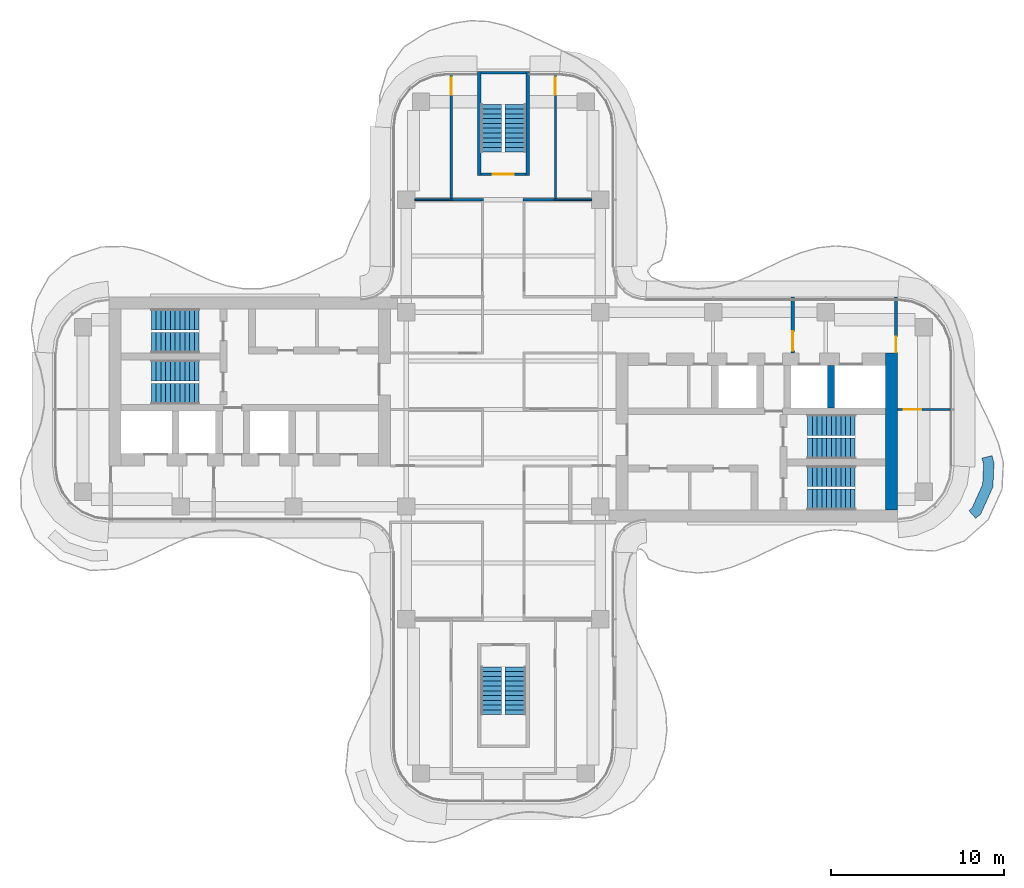
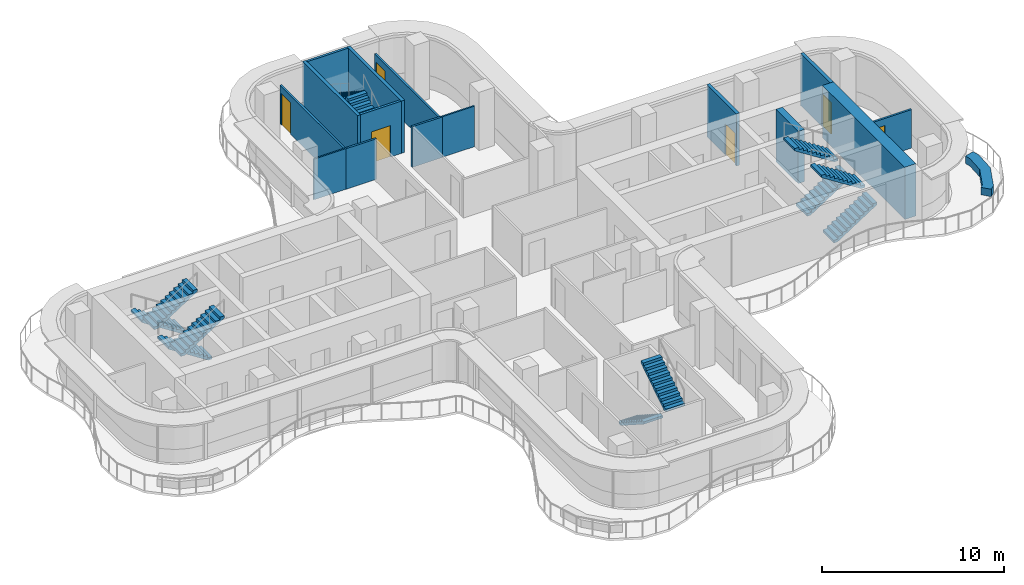
# One storey, part 13 of 15: 16 walls, 12 stair flights, 6 doors, 6 openings, 6 elements without a shape of their own.
"""IFC4 building model written with IfcOpenShell, lengths in metres."""

from ifc_helpers import new_model, si_unit, direction, frame, frame_2d, origin, place, context, subcontext, project, spatial, polyline, rectangle, outline, extrude, source, transform, mapped, material, layer, layer_set, type_object, element, fill, aggregate, save


model = new_model("IFC4")

# Units and contexts
model_context = context("Model", 3, precision=1e-05, world=origin(), true_north=direction((0.0, 1.0)))
body_context = subcontext(model_context, "Body", "Model", "MODEL_VIEW")
ifc_project = project(units=[si_unit("LENGTHUNIT", "METRE"), si_unit("AREAUNIT", "SQUARE_METRE"), si_unit("VOLUMEUNIT", "CUBIC_METRE"), si_unit("PLANEANGLEUNIT", "RADIAN"), si_unit("MASSUNIT", "GRAM", prefix="KILO")], contexts=[model_context])

# Site, building, storey
site_placement = place(None, origin())
site = spatial("IfcSite", under=ifc_project, at=site_placement, CompositionType="ELEMENT")
building_placement = place(site_placement, origin())
building = spatial("IfcBuilding", under=site, at=building_placement, Name="Trellis Farm Tower", CompositionType="ELEMENT")
storey_placement = place(building_placement, frame((0.0, 0.0, 326.199951171875)))
storey = spatial("IfcBuildingStorey", under=building, at=storey_placement, Name="L74", CompositionType="ELEMENT", Elevation=326.199951171875)

# Walls
ifc_material_1 = material(Name="Sandstone faced masonry planter", Category="masonry")
ifc_layer_1 = layer(ifc_material_1, 0.60009765625)
ifc_layer_set_1 = layer_set([ifc_layer_1], Name="PLANTER BED 600")
wall_type_1 = type_object("IfcWallType", Name="PLANTER BED 600", PredefinedType="USERDEFINED", material=ifc_layer_set_1)
placement = place(storey_placement, origin())
element("IfcWall", 1, at=placement, inside=storey, type_object=wall_type_1, Name="PLANTER bed", ObjectType="PLANTER", PredefinedType="USERDEFINED", context=body_context, shape_type="SweptSolid", body=[
    extrude(outline(polyline([(28.243408203125, -4.46875), (27.53759765625, -6.029296875), (27.25, -6.283203125), (26.852783203125, -5.83349609375), (27.043701171875, -5.664794921875), (27.64892578125, -4.326904296875), (27.7001953125, -3.16015625), (27.609619140625, -2.80908203125), (28.1904296875, -2.65869140625), (28.3037109375, -3.096923828125), (28.243408203125, -4.46875)])), origin(), (0.0, 0.0, 1.0), 0.5),
])
ifc_material_2 = material(Name="Concrete C50/60", Category="concrete")
ifc_layer_2 = layer(ifc_material_2, 0.699951171875)
ifc_layer_set_2 = layer_set([ifc_layer_2], Name="CORE OUTER WALL 700 CONCRETE C50/60")
wall_type_2 = type_object("IfcWallType", Name="CORE OUTER WALL 700 CONCRETE C50/60", PredefinedType="SHEAR", material=ifc_layer_set_2)
shared_shape_1 = source(origin(), body_context, "Body", "SweptSolid", [
    extrude(rectangle(XDim=9.050048828125, YDim=0.699951171875, at=frame_2d((4.52490234375, 0.0))), origin(), (0.0, 0.0, 1.0), 3.5),
])
wall_2_placement = place(storey_placement, frame((22.39990234375, -5.800048828125, 0.0), z_axis=(0.0, 0.0, 1.0), x_axis=(0.0, 1.0, 0.0)))
element("IfcWall", 2, at=wall_2_placement, inside=storey, type_object=wall_type_2, Name="Core wall", PredefinedType="SHEAR", context=body_context, shape_type="MappedRepresentation", body=[
    mapped(shared_shape_1, transform((0.0, 0.0, 0.0))),
])
ifc_layer_3 = layer(ifc_material_2, 0.39990234375)
ifc_layer_set_3 = layer_set([ifc_layer_3], Name="CORE INNER WALL 400 CONCRETE C50/60")
wall_type_3 = type_object("IfcWallType", Name="CORE INNER WALL 400 CONCRETE C50/60", PredefinedType="SHEAR", material=ifc_layer_set_3)
shared_shape_2 = source(origin(), body_context, "Body", "SweptSolid", [
    extrude(rectangle(XDim=2.449951171875, YDim=0.39990234375, at=frame_2d((1.22509765625, 0.0))), origin(), (0.0, 0.0, 1.0), 3.5),
])
wall_3_placement = place(storey_placement, frame((18.89990234375, 0.10009765625, 0.0), z_axis=(0.0, 0.0, 1.0), x_axis=(0.0, 1.0, 0.0)))
element("IfcWall", 3, at=wall_3_placement, inside=storey, type_object=wall_type_3, Name="Core wall", PredefinedType="SHEAR", context=body_context, shape_type="MappedRepresentation", body=[
    mapped(shared_shape_2, transform((0.0, 0.0, 0.0))),
])

# Wall, opening, door
ifc_material_3 = material(Name="Masonry blockwork", Category="masonry")
ifc_layer_4 = layer(ifc_material_3, 0.199951171875)
ifc_layer_set_4 = layer_set([ifc_layer_4], Name="FIRE LOBBY PARTITION 200 BLOCKWORK")
wall_type_4 = type_object("IfcWallType", Name="FIRE LOBBY PARTITION 200 BLOCKWORK", PredefinedType="PARTITIONING", material=ifc_layer_set_4)
shared_shape_3 = source(origin(), body_context, "Body", "SweptSolid", [
    extrude(rectangle(XDim=3.25, YDim=0.199951171875, at=frame_2d((1.625, 0.0))), origin(), (0.0, 0.0, 1.0), 3.5),
])
wall_4_placement = place(storey_placement, frame((16.699951171875, 3.25, 0.0), z_axis=(0.0, 0.0, 1.0), x_axis=(0.0, 1.0, 0.0)))
wall_4 = element("IfcWall", 4, at=wall_4_placement, inside=storey, type_object=wall_type_4, Name="Fire-fighting lobby partition", PredefinedType="PARTITIONING", context=body_context, shape_type="MappedRepresentation", body=[
    mapped(shared_shape_3, transform((0.0, 0.0, 0.0))),
])
shared_shape_4 = source(origin(), body_context, "Body", "SweptSolid", [
    extrude(rectangle(XDim=1.10009765625, YDim=2.10009765625, at=frame_2d((0.550048828125, 1.050048828125))), frame((0.0, 0.110107421875, 0.0), z_axis=(0.0, -1.0, 0.0), x_axis=(1.0, 0.0, 0.0)), (0.0, 0.0, 1.0), 0.22021484375),
])
opening_1_placement = place(wall_4_placement, frame((0.14990234375, 0.0, 0.0)))
opening_1 = element("IfcOpeningElement", 5, at=opening_1_placement, cuts=wall_4, Name="Opening DC7", PredefinedType="OPENING", context=body_context, shape_type="MappedRepresentation", body=[
    mapped(shared_shape_4, transform((0.0, 0.0, 0.0))),
])
ifc_material_4 = material(Name="Steel", Category="steel")
door_type_1 = type_object("IfcDoorType", Name="CORE FIRE DOOR 1100 X 2100", OperationType="NOTDEFINED", PredefinedType="DOOR", material=ifc_material_4)
shared_shape_5 = source(origin(), body_context, "Body", "SweptSolid", [
    extrude(rectangle(XDim=1.10009765625, YDim=2.10009765625, at=frame_2d((0.550048828125, 1.050048828125))), frame((0.0, 0.02490234375, 0.0), z_axis=(0.0, -1.0, 0.0), x_axis=(1.0, 0.0, 0.0)), (0.0, 0.0, 1.0), 0.050048828125),
])
door_1_placement = place(opening_1_placement, origin())
door_1 = element("IfcDoor", 6, at=door_1_placement, inside=storey, type_object=door_type_1, Name="Core door", OperationType="SINGLE_SWING_RIGHT", OverallHeight=2.10009765625, OverallWidth=1.10009765625, PredefinedType="DOOR", context=body_context, shape_type="MappedRepresentation", body=[
    mapped(shared_shape_5, transform((0.0, 0.0, 0.0))),
])
fill(opening_1, door_1)

wall_5_placement = place(storey_placement, frame((22.64990234375, 3.25, 0.0), z_axis=(0.0, 0.0, 1.0), x_axis=(0.0, 1.0, 0.0)))
wall_5 = element("IfcWall", 7, at=wall_5_placement, inside=storey, type_object=wall_type_4, Name="Fire-fighting lobby partition", PredefinedType="PARTITIONING", context=body_context, shape_type="MappedRepresentation", body=[
    mapped(shared_shape_3, transform((0.0, 0.0, 0.0))),
])
shared_shape_6 = source(origin(), body_context, "Body", "SweptSolid", [
    extrude(rectangle(XDim=0.89990234375, YDim=2.10009765625, at=frame_2d((0.449951171875, 1.050048828125))), frame((0.0, 0.110107421875, 0.0), z_axis=(0.0, -1.0, 0.0), x_axis=(1.0, 0.0, 0.0)), (0.0, 0.0, 1.0), 0.22021484375),
])
opening_2_placement = place(wall_5_placement, frame((0.050048828125, 0.0, 0.0)))
opening_2 = element("IfcOpeningElement", 8, at=opening_2_placement, cuts=wall_5, Name="Opening DC8", PredefinedType="OPENING", context=body_context, shape_type="MappedRepresentation", body=[
    mapped(shared_shape_6, transform((0.0, 0.0, 0.0))),
])
door_type_2 = type_object("IfcDoorType", Name="CORE FIRE DOOR 900 X 2100", OperationType="NOTDEFINED", PredefinedType="DOOR", material=ifc_material_4)
shared_shape_7 = source(origin(), body_context, "Body", "SweptSolid", [
    extrude(rectangle(XDim=0.89990234375, YDim=2.10009765625, at=frame_2d((0.449951171875, 1.050048828125))), frame((0.0, 0.02490234375, 0.0), z_axis=(0.0, -1.0, 0.0), x_axis=(1.0, 0.0, 0.0)), (0.0, 0.0, 1.0), 0.050048828125),
])
door_2_placement = place(opening_2_placement, origin())
door_2 = element("IfcDoor", 9, at=door_2_placement, inside=storey, type_object=door_type_2, Name="Core door", OperationType="SINGLE_SWING_RIGHT", OverallHeight=2.10009765625, OverallWidth=0.89990234375, PredefinedType="DOOR", context=body_context, shape_type="MappedRepresentation", body=[
    mapped(shared_shape_7, transform((0.0, 0.0, 0.0))),
])
fill(opening_2, door_2)

# Walls
ifc_layer_5 = layer(ifc_material_2, 0.199951171875)
ifc_layer_set_5 = layer_set([ifc_layer_5], Name="CORE STAIR ENCLOSURE WALL 200 CONCRETE C50/60")
wall_type_5 = type_object("IfcWallType", Name="CORE STAIR ENCLOSURE WALL 200 CONCRETE C50/60", PredefinedType="SHEAR", material=ifc_layer_set_5)
shared_shape_8 = source(origin(), body_context, "Body", "SweptSolid", [
    extrude(rectangle(XDim=6.0, YDim=0.199951171875, at=frame_2d((3.0, 0.0))), origin(), (0.0, 0.0, 1.0), 3.5),
])
for number, where, z_axis, x_axis, name in (
    (10, (-1.39990234375, 13.5, 0.0), (0.0, 0.0, 1.0), (0.0, 1.0, 0.0), "Stair enclosure wall"),
    (11, (1.39990234375, 13.5, 0.0), (0.0, 0.0, 1.0), (0.0, 1.0, 0.0), "Stair enclosure wall"),
):
    element("IfcWall", number, at=place(storey_placement, frame(where, z_axis=z_axis, x_axis=x_axis)), inside=storey, type_object=wall_type_5, Name=name, PredefinedType="SHEAR", context=body_context, shape_type="MappedRepresentation", body=[
        mapped(shared_shape_8, transform((0.0, 0.0, 0.0))),
    ])

# Wall, opening, door
ifc_layer_6 = layer(ifc_material_2, 0.14990234375)
ifc_layer_set_6 = layer_set([ifc_layer_6], Name="CORE STAIR ENCLOSURE WALL 150 CONCRETE C50/60")
wall_type_6 = type_object("IfcWallType", Name="CORE STAIR ENCLOSURE WALL 150 CONCRETE C50/60", PredefinedType="SHEAR", material=ifc_layer_set_6)
shared_shape_9 = source(origin(), body_context, "Body", "SweptSolid", [
    extrude(rectangle(XDim=2.60009765625, YDim=0.14990234375, at=frame_2d((1.300048828125, 0.0))), origin(), (0.0, 0.0, 1.0), 3.5),
])
wall_6_placement = place(storey_placement, frame((-1.300048828125, 13.574951171875, 0.0), z_axis=(0.0, 0.0, 1.0), x_axis=(1.0, 0.0, 0.0)))
wall_6 = element("IfcWall", 12, at=wall_6_placement, inside=storey, type_object=wall_type_6, Name="Stair enclosure wall", PredefinedType="SHEAR", context=body_context, shape_type="MappedRepresentation", body=[
    mapped(shared_shape_9, transform((0.0, 0.0, 0.0))),
])
shared_shape_10 = source(origin(), body_context, "Body", "SweptSolid", [
    extrude(rectangle(XDim=1.199951171875, YDim=2.10009765625, at=frame_2d((0.60009765625, 1.050048828125))), frame((0.0, 0.0849609375, 0.0), z_axis=(0.0, -1.0, 0.0), x_axis=(1.0, 0.0, 0.0)), (0.0, 0.0, 1.0), 0.169921875),
])
opening_3_placement = place(wall_6_placement, frame((0.699951171875, 0.0, 0.0)))
opening_3 = element("IfcOpeningElement", 13, at=opening_3_placement, cuts=wall_6, Name="Opening DC173", PredefinedType="OPENING", context=body_context, shape_type="MappedRepresentation", body=[
    mapped(shared_shape_10, transform((0.0, 0.0, 0.0))),
])
door_type_3 = type_object("IfcDoorType", Name="CORE FIRE DOOR 1200 X 2100", OperationType="NOTDEFINED", PredefinedType="DOOR", material=ifc_material_4)
shared_shape_11 = source(origin(), body_context, "Body", "SweptSolid", [
    extrude(rectangle(XDim=1.199951171875, YDim=2.10009765625, at=frame_2d((0.60009765625, 1.050048828125))), frame((0.0, 0.02490234375, 0.0), z_axis=(0.0, -1.0, 0.0), x_axis=(1.0, 0.0, 0.0)), (0.0, 0.0, 1.0), 0.050048828125),
])
door_3_placement = place(opening_3_placement, origin())
door_3 = element("IfcDoor", 14, at=door_3_placement, inside=storey, type_object=door_type_3, Name="Core door", OperationType="SINGLE_SWING_LEFT", OverallHeight=2.10009765625, OverallWidth=1.199951171875, PredefinedType="DOOR", context=body_context, shape_type="MappedRepresentation", body=[
    mapped(shared_shape_11, transform((0.0, 0.0, 0.0))),
])
fill(opening_3, door_3)

# Wall
wall_7_placement = place(storey_placement, frame((-1.300048828125, 19.425048828125, 0.0), z_axis=(0.0, 0.0, 1.0), x_axis=(1.0, 0.0, 0.0)))
element("IfcWall", 15, at=wall_7_placement, inside=storey, type_object=wall_type_6, Name="Stair enclosure wall", PredefinedType="SHEAR", context=body_context, shape_type="MappedRepresentation", body=[
    mapped(shared_shape_9, transform((0.0, 0.0, 0.0))),
])

# Wall, opening, door
ifc_material_5 = material(Name="Plasterboard on steel studs, mineral wool", Category="steel")
ifc_layer_7 = layer(ifc_material_5, 0.125)
ifc_layer_set_7 = layer_set([ifc_layer_7], Name="PARTITION 125 STUD EI 60")
wall_type_7 = type_object("IfcWallType", Name="PARTITION 125 STUD EI 60", PredefinedType="PARTITIONING", material=ifc_layer_set_7)
shared_shape_12 = source(origin(), body_context, "Body", "SweptSolid", [
    extrude(rectangle(XDim=7.150146484375, YDim=0.125, at=frame_2d((3.5751953125, 0.0))), origin(), (0.0, 0.0, 1.0), 2.580078125),
])
wall_8_placement = place(storey_placement, frame((-3.0, 12.14990234375, 0.0), z_axis=(0.0, 0.0, 1.0), x_axis=(0.0, 1.0, 0.0)))
wall_8 = element("IfcWall", 16, at=wall_8_placement, inside=storey, type_object=wall_type_7, Name="Partition PW1", PredefinedType="PARTITIONING", context=body_context, shape_type="MappedRepresentation", body=[
    mapped(shared_shape_12, transform((0.0, 0.0, 0.0))),
])
shared_shape_13 = source(origin(), body_context, "Body", "SweptSolid", [
    extrude(rectangle(XDim=1.0, YDim=2.10009765625, at=frame_2d((0.5, 1.050048828125))), frame((0.0, 0.072509765625, 0.0), z_axis=(0.0, -1.0, 0.0), x_axis=(1.0, 0.0, 0.0)), (0.0, 0.0, 1.0), 0.14501953125),
])
opening_4_placement = place(wall_8_placement, frame((6.0, 0.0, 0.0)))
opening_4 = element("IfcOpeningElement", 17, at=opening_4_placement, cuts=wall_8, Name="Opening D110", PredefinedType="OPENING", context=body_context, shape_type="MappedRepresentation", body=[
    mapped(shared_shape_13, transform((0.0, 0.0, 0.0))),
])
ifc_material_6 = material(Name="Fire-rated timber door leaf in a hollow metal frame", Category="wood")
door_type_4 = type_object("IfcDoorType", Name="DOOR 1000x2100 FD30S", OperationType="NOTDEFINED", PredefinedType="DOOR", material=ifc_material_6)
shared_shape_14 = source(origin(), body_context, "Body", "SweptSolid", [
    extrude(rectangle(XDim=1.0, YDim=2.10009765625, at=frame_2d((0.5, 1.050048828125))), frame((0.0, 0.02490234375, 0.0), z_axis=(0.0, -1.0, 0.0), x_axis=(1.0, 0.0, 0.0)), (0.0, 0.0, 1.0), 0.050048828125),
])
door_4_placement = place(opening_4_placement, origin())
door_4 = element("IfcDoor", 18, at=door_4_placement, inside=storey, type_object=door_type_4, Name="Door D110", OperationType="SINGLE_SWING_RIGHT", OverallHeight=2.10009765625, OverallWidth=1.0, PredefinedType="DOOR", context=body_context, shape_type="MappedRepresentation", body=[
    mapped(shared_shape_14, transform((0.0, 0.0, 0.0))),
])
fill(opening_4, door_4)

wall_9_placement = place(storey_placement, frame((3.0, 19.300048828125, 0.0), z_axis=(0.0, 0.0, 1.0), x_axis=(0.0, -1.0, 0.0)))
wall_9 = element("IfcWall", 19, at=wall_9_placement, inside=storey, type_object=wall_type_7, Name="Partition PW1", PredefinedType="PARTITIONING", context=body_context, shape_type="MappedRepresentation", body=[
    mapped(shared_shape_12, transform((0.0, 0.0, 0.0))),
])
opening_5_placement = place(wall_9_placement, frame((0.14990234375, 0.0, 0.0)))
opening_5 = element("IfcOpeningElement", 20, at=opening_5_placement, cuts=wall_9, Name="Opening D111", PredefinedType="OPENING", context=body_context, shape_type="MappedRepresentation", body=[
    mapped(shared_shape_13, transform((0.0, 0.0, 0.0))),
])
door_5_placement = place(opening_5_placement, origin())
door_5 = element("IfcDoor", 21, at=door_5_placement, inside=storey, type_object=door_type_4, Name="Door D111", OperationType="SINGLE_SWING_LEFT", OverallHeight=2.10009765625, OverallWidth=1.0, PredefinedType="DOOR", context=body_context, shape_type="MappedRepresentation", body=[
    mapped(shared_shape_14, transform((0.0, 0.0, 0.0))),
])
fill(opening_5, door_5)

# Walls
ifc_material_7 = material(Name="Plasterboard on steel studs", Category="steel")
ifc_layer_8 = layer(ifc_material_7, 0.10009765625)
ifc_layer_set_8 = layer_set([ifc_layer_8], Name="PARTITION 100 STUD EI 30")
wall_type_8 = type_object("IfcWallType", Name="PARTITION 100 STUD EI 30", PredefinedType="PARTITIONING", material=ifc_layer_set_8)
shared_shape_15 = source(origin(), body_context, "Body", "SweptSolid", [
    extrude(rectangle(XDim=2.16259765625, YDim=0.10009765625, at=frame_2d((1.081298828125, 0.0))), origin(), (0.0, 0.0, 1.0), 2.7177734375),
])
for number, where, z_axis, x_axis, name in (
    (22, (-5.10009765625, 12.10009765625, 0.0), (0.0, 0.0, 1.0), (1.0, 0.0, 0.0), "Partition PW2"),
    (23, (2.9375, 12.10009765625, 0.0), (0.0, 0.0, 1.0), (1.0, 0.0, 0.0), "Partition PW2"),
):
    element("IfcWall", number, at=place(storey_placement, frame(where, z_axis=z_axis, x_axis=x_axis)), inside=storey, type_object=wall_type_8, Name=name, PredefinedType="PARTITIONING", context=body_context, shape_type="MappedRepresentation", body=[
        mapped(shared_shape_15, transform((0.0, 0.0, 0.0))),
    ])
shared_shape_16 = source(origin(), body_context, "Body", "SweptSolid", [
    extrude(rectangle(XDim=1.925048828125, YDim=0.125, at=frame_2d((0.96240234375, 0.0))), origin(), (0.0, 0.0, 1.0), 2.7177734375),
])
for number, where, z_axis, x_axis, name in (
    (24, (-1.137451171875, 12.10009765625, 0.0), (0.0, 0.0, 1.0), (-1.0, 0.0, 0.0), "Partition PW1"),
    (25, (3.0625, 12.10009765625, 0.0), (0.0, 0.0, 1.0), (-1.0, 0.0, 0.0), "Partition PW1"),
):
    element("IfcWall", number, at=place(storey_placement, frame(where, z_axis=z_axis, x_axis=x_axis)), inside=storey, type_object=wall_type_7, Name=name, PredefinedType="PARTITIONING", context=body_context, shape_type="MappedRepresentation", body=[
        mapped(shared_shape_16, transform((0.0, 0.0, 0.0))),
    ])

# Wall, opening, door
shared_shape_17 = source(origin(), body_context, "Body", "SweptSolid", [
    extrude(rectangle(XDim=3.050048828125, YDim=0.125, at=frame_2d((1.52490234375, 0.0))), origin(), (0.0, 0.0, 1.0), 2.580078125),
])
wall_10_placement = place(storey_placement, frame((25.800048828125, 0.0, 0.0), z_axis=(0.0, 0.0, 1.0), x_axis=(-1.0, 0.0, 0.0)))
wall_10 = element("IfcWall", 26, at=wall_10_placement, inside=storey, type_object=wall_type_7, Name="Partition PW1", PredefinedType="PARTITIONING", context=body_context, shape_type="MappedRepresentation", body=[
    mapped(shared_shape_17, transform((0.0, 0.0, 0.0))),
])
opening_6_placement = place(wall_10_placement, frame((1.699951171875, 0.0, 0.0)))
opening_6 = element("IfcOpeningElement", 27, at=opening_6_placement, cuts=wall_10, Name="Opening D107", PredefinedType="OPENING", context=body_context, shape_type="MappedRepresentation", body=[
    mapped(shared_shape_13, transform((0.0, 0.0, 0.0))),
])
door_6_placement = place(opening_6_placement, origin())
door_6 = element("IfcDoor", 28, at=door_6_placement, inside=storey, type_object=door_type_4, Name="Door D107", OperationType="SINGLE_SWING_RIGHT", OverallHeight=2.10009765625, OverallWidth=1.0, PredefinedType="DOOR", context=body_context, shape_type="MappedRepresentation", body=[
    mapped(shared_shape_14, transform((0.0, 0.0, 0.0))),
])
fill(opening_6, door_6)

# Stair, stair flights
stair_type = type_object("IfcStairType", Name="CORE EXIT STAIR 22 RISERS 177 MM", PredefinedType="HALF_TURN_STAIR", material=ifc_material_2)
stair_1 = element("IfcStair", 29, at=placement, inside=storey, type_object=stair_type, Name="Exit stair N", PredefinedType="HALF_TURN_STAIR")
stair_flight_type = type_object("IfcStairFlightType", Name="STAIR FLIGHT 11 RISERS 177 MM", PredefinedType="STRAIGHT", material=ifc_material_2)
shared_shape_18 = source(origin(), body_context, "Body", "SweptSolid", [
    extrude(outline(polyline([(0.0, 0.0), (0.0, 0.17724609375), (0.27490234375, 0.17724609375), (0.27490234375, 0.3544921875), (0.550048828125, 0.3544921875), (0.550048828125, 0.53173828125), (0.824951171875, 0.53173828125), (0.824951171875, 0.708984375), (1.10009765625, 0.708984375), (1.10009765625, 0.886474609375), (1.375, 0.886474609375), (1.375, 1.063720703125), (1.64990234375, 1.063720703125), (1.64990234375, 1.240966796875), (1.925048828125, 1.240966796875), (1.925048828125, 1.418212890625), (2.199951171875, 1.418212890625), (2.199951171875, 1.595458984375), (2.47509765625, 1.595458984375), (2.47509765625, 1.772705078125), (2.75, 1.772705078125), (2.75, 1.949951171875), (2.75, 1.6181640625), (0.23974609375, 0.0), (0.0, 0.0)])), frame((0.0, 0.60009765625, 0.0), z_axis=(0.0, -1.0, 0.0), x_axis=(1.0, 0.0, 0.0)), (0.0, 0.0, 1.0), 1.199951171875),
])
stair_flight_1_placement = place(storey_placement, frame((0.699951171875, 14.85009765625, 0.0), z_axis=(0.0, 0.0, 1.0), x_axis=(0.0, 1.0, 0.0)))
stair_flight_1 = element("IfcStairFlight", 30, at=stair_flight_1_placement, type_object=stair_flight_type, Name="STN flight 1", NumberOfRisers=11, NumberOfTreads=10, PredefinedType="STRAIGHT", RiserHeight=0.177272727, TreadLength=0.275, context=body_context, shape_type="MappedRepresentation", body=[
    mapped(shared_shape_18, transform((0.0, 0.0, 0.0))),
])
stair_flight_2_placement = place(storey_placement, frame((-0.699951171875, 17.60009765625, 1.949951171875), z_axis=(0.0, 0.0, 1.0), x_axis=(0.0, -1.0, 0.0)))
stair_flight_2 = element("IfcStairFlight", 31, at=stair_flight_2_placement, type_object=stair_flight_type, Name="STN flight 2", NumberOfRisers=11, NumberOfTreads=10, PredefinedType="STRAIGHT", RiserHeight=0.177272727, TreadLength=0.275, context=body_context, shape_type="MappedRepresentation", body=[
    mapped(shared_shape_18, transform((0.0, 0.0, 0.0))),
])
aggregate(stair_1, [stair_flight_1, stair_flight_2])

stair_2 = element("IfcStair", 32, at=placement, inside=storey, type_object=stair_type, Name="Exit stair S", PredefinedType="HALF_TURN_STAIR")
stair_flight_3_placement = place(storey_placement, frame((-0.699951171875, -14.85009765625, 0.0), z_axis=(0.0, 0.0, 1.0), x_axis=(0.0, -1.0, 0.0)))
stair_flight_3 = element("IfcStairFlight", 33, at=stair_flight_3_placement, type_object=stair_flight_type, Name="STS flight 1", NumberOfRisers=11, NumberOfTreads=10, PredefinedType="STRAIGHT", RiserHeight=0.177272727, TreadLength=0.275, context=body_context, shape_type="MappedRepresentation", body=[
    mapped(shared_shape_18, transform((0.0, 0.0, 0.0))),
])
stair_flight_4_placement = place(storey_placement, frame((0.699951171875, -17.60009765625, 1.949951171875), z_axis=(0.0, 0.0, 1.0), x_axis=(0.0, 1.0, 0.0)))
stair_flight_4 = element("IfcStairFlight", 34, at=stair_flight_4_placement, type_object=stair_flight_type, Name="STS flight 2", NumberOfRisers=11, NumberOfTreads=10, PredefinedType="STRAIGHT", RiserHeight=0.177272727, TreadLength=0.275, context=body_context, shape_type="MappedRepresentation", body=[
    mapped(shared_shape_18, transform((0.0, 0.0, 0.0))),
])
aggregate(stair_2, [stair_flight_3, stair_flight_4])

stair_3 = element("IfcStair", 35, at=placement, inside=storey, type_object=stair_type, Name="Exit stair E1", PredefinedType="HALF_TURN_STAIR")
stair_flight_5_placement = place(storey_placement, frame((17.550048828125, -5.199951171875, 0.0), z_axis=(0.0, 0.0, 1.0), x_axis=(1.0, 0.0, 0.0)))
stair_flight_5 = element("IfcStairFlight", 36, at=stair_flight_5_placement, type_object=stair_flight_type, Name="STE1 flight 1", NumberOfRisers=11, NumberOfTreads=10, PredefinedType="STRAIGHT", RiserHeight=0.177272727, TreadLength=0.275, context=body_context, shape_type="MappedRepresentation", body=[
    mapped(shared_shape_18, transform((0.0, 0.0, 0.0))),
])
stair_flight_6_placement = place(storey_placement, frame((20.300048828125, -3.85009765625, 1.949951171875), z_axis=(0.0, 0.0, 1.0), x_axis=(-1.0, 0.0, 0.0)))
stair_flight_6 = element("IfcStairFlight", 37, at=stair_flight_6_placement, type_object=stair_flight_type, Name="STE1 flight 2", NumberOfRisers=11, NumberOfTreads=10, PredefinedType="STRAIGHT", RiserHeight=0.177272727, TreadLength=0.275, context=body_context, shape_type="MappedRepresentation", body=[
    mapped(shared_shape_18, transform((0.0, 0.0, 0.0))),
])
aggregate(stair_3, [stair_flight_5, stair_flight_6])

stair_4 = element("IfcStair", 38, at=placement, inside=storey, type_object=stair_type, Name="Exit stair E2", PredefinedType="HALF_TURN_STAIR")
stair_flight_7_placement = place(storey_placement, frame((17.550048828125, -2.25, 0.0), z_axis=(0.0, 0.0, 1.0), x_axis=(1.0, 0.0, 0.0)))
stair_flight_7 = element("IfcStairFlight", 39, at=stair_flight_7_placement, type_object=stair_flight_type, Name="STE2 flight 1", NumberOfRisers=11, NumberOfTreads=10, PredefinedType="STRAIGHT", RiserHeight=0.177272727, TreadLength=0.275, context=body_context, shape_type="MappedRepresentation", body=[
    mapped(shared_shape_18, transform((0.0, 0.0, 0.0))),
])
stair_flight_8_placement = place(storey_placement, frame((20.300048828125, -0.89990234375, 1.949951171875), z_axis=(0.0, 0.0, 1.0), x_axis=(-1.0, 0.0, 0.0)))
stair_flight_8 = element("IfcStairFlight", 40, at=stair_flight_8_placement, type_object=stair_flight_type, Name="STE2 flight 2", NumberOfRisers=11, NumberOfTreads=10, PredefinedType="STRAIGHT", RiserHeight=0.177272727, TreadLength=0.275, context=body_context, shape_type="MappedRepresentation", body=[
    mapped(shared_shape_18, transform((0.0, 0.0, 0.0))),
])
aggregate(stair_4, [stair_flight_7, stair_flight_8])

stair_5 = element("IfcStair", 41, at=placement, inside=storey, type_object=stair_type, Name="Exit stair W1", PredefinedType="HALF_TURN_STAIR")
stair_flight_9_placement = place(storey_placement, frame((-17.550048828125, 5.199951171875, 0.0), z_axis=(0.0, 0.0, 1.0), x_axis=(-1.0, 0.0, 0.0)))
stair_flight_9 = element("IfcStairFlight", 42, at=stair_flight_9_placement, type_object=stair_flight_type, Name="STW1 flight 1", NumberOfRisers=11, NumberOfTreads=10, PredefinedType="STRAIGHT", RiserHeight=0.177272727, TreadLength=0.275, context=body_context, shape_type="MappedRepresentation", body=[
    mapped(shared_shape_18, transform((0.0, 0.0, 0.0))),
])
stair_flight_10_placement = place(storey_placement, frame((-20.300048828125, 3.85009765625, 1.949951171875), z_axis=(0.0, 0.0, 1.0), x_axis=(1.0, 0.0, 0.0)))
stair_flight_10 = element("IfcStairFlight", 43, at=stair_flight_10_placement, type_object=stair_flight_type, Name="STW1 flight 2", NumberOfRisers=11, NumberOfTreads=10, PredefinedType="STRAIGHT", RiserHeight=0.177272727, TreadLength=0.275, context=body_context, shape_type="MappedRepresentation", body=[
    mapped(shared_shape_18, transform((0.0, 0.0, 0.0))),
])
aggregate(stair_5, [stair_flight_9, stair_flight_10])

stair_6 = element("IfcStair", 44, at=placement, inside=storey, type_object=stair_type, Name="Exit stair W2", PredefinedType="HALF_TURN_STAIR")
stair_flight_11_placement = place(storey_placement, frame((-17.550048828125, 2.25, 0.0), z_axis=(0.0, 0.0, 1.0), x_axis=(-1.0, 0.0, 0.0)))
stair_flight_11 = element("IfcStairFlight", 45, at=stair_flight_11_placement, type_object=stair_flight_type, Name="STW2 flight 1", NumberOfRisers=11, NumberOfTreads=10, PredefinedType="STRAIGHT", RiserHeight=0.177272727, TreadLength=0.275, context=body_context, shape_type="MappedRepresentation", body=[
    mapped(shared_shape_18, transform((0.0, 0.0, 0.0))),
])
stair_flight_12_placement = place(storey_placement, frame((-20.300048828125, 0.89990234375, 1.949951171875), z_axis=(0.0, 0.0, 1.0), x_axis=(1.0, 0.0, 0.0)))
stair_flight_12 = element("IfcStairFlight", 46, at=stair_flight_12_placement, type_object=stair_flight_type, Name="STW2 flight 2", NumberOfRisers=11, NumberOfTreads=10, PredefinedType="STRAIGHT", RiserHeight=0.177272727, TreadLength=0.275, context=body_context, shape_type="MappedRepresentation", body=[
    mapped(shared_shape_18, transform((0.0, 0.0, 0.0))),
])
aggregate(stair_6, [stair_flight_11, stair_flight_12])

save(model, "model.ifc")
